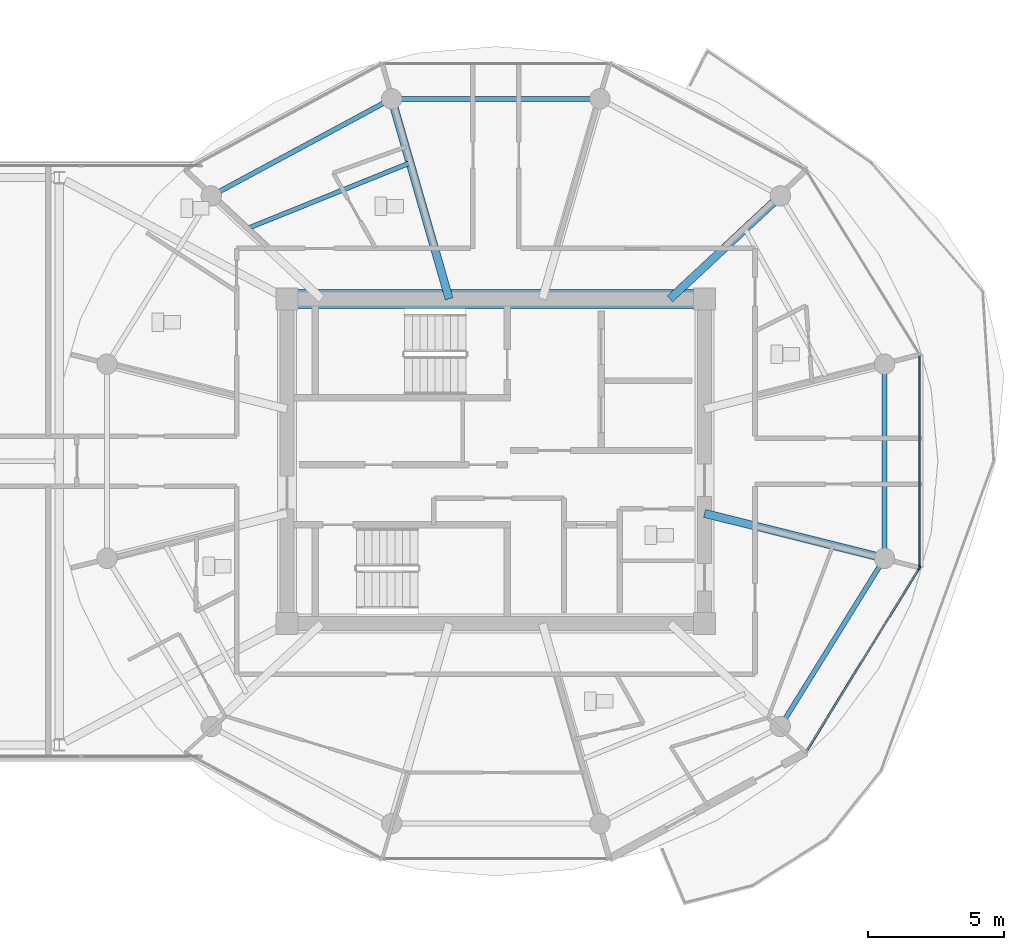
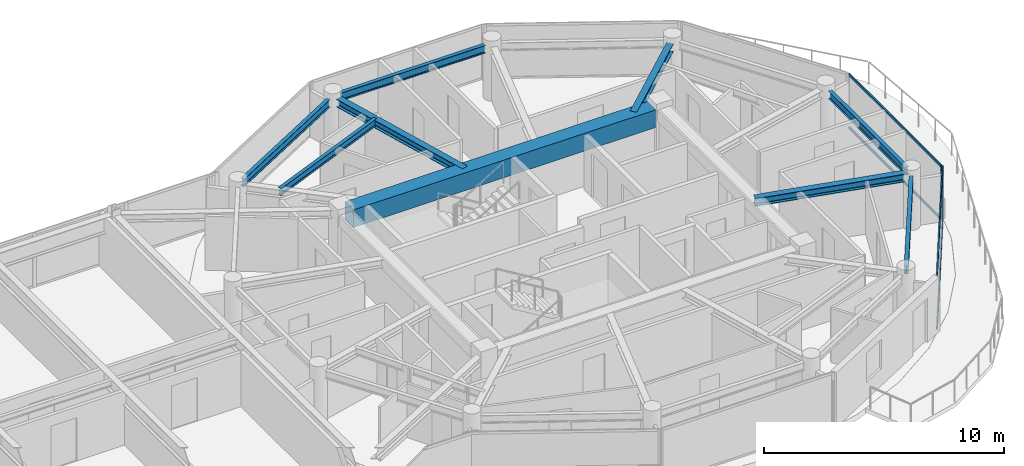
# One storey, part 10 of 26: 9 beams, 6 members, 2 elements without a shape of their own.
"""IFC4 building model written with IfcOpenShell, lengths in metres."""

from ifc_helpers import new_model, si_unit, direction, frame, origin, origin_2d, place, context, subcontext, project, spatial, rectangle, i_section, extrude, source, transform, mapped, material, layer, layer_set, material_profile, profile_set, type_object, type_shapes, element, aggregate, save


model = new_model("IFC4")

# Units and contexts
model_context = context("Model", 3, precision=1e-05, world=origin(), true_north=direction((0.0, 1.0)))
body_context = subcontext(model_context, "Body", "Model", "MODEL_VIEW")
ifc_project = project(units=[si_unit("LENGTHUNIT", "METRE"), si_unit("AREAUNIT", "SQUARE_METRE"), si_unit("VOLUMEUNIT", "CUBIC_METRE"), si_unit("PLANEANGLEUNIT", "RADIAN"), si_unit("MASSUNIT", "GRAM", prefix="KILO")], contexts=[model_context])

# Site, building, storey
site_placement = place(None, origin())
site = spatial("IfcSite", under=ifc_project, at=site_placement, CompositionType="ELEMENT")
building_placement = place(site_placement, origin())
building = spatial("IfcBuilding", under=site, at=building_placement, Name="Norrkilde Senior Care Towers", CompositionType="ELEMENT")
storey_placement = place(building_placement, frame((0.0, 0.0, 210.85009765625)))
storey = spatial("IfcBuildingStorey", under=building, at=storey_placement, Name="L65", CompositionType="ELEMENT", Elevation=210.85009765625)

# Beams
ifc_material_1 = material(Name="Concrete C60/75", Category="concrete")
ifc_material_profile_1 = material_profile(ifc_material_1, rectangle(XDim=0.699951171875, YDim=0.89990234375, at=origin_2d()), Name="RC BM 700x900")
ifc_profile_set_1 = profile_set([ifc_material_profile_1], Name="Concrete C60/75")
beam_type_1 = type_object("IfcBeamType", Name="Core Coupling Girder 700x900", PredefinedType="USERDEFINED", material=ifc_profile_set_1)
shared_shape_1 = source(origin(), body_context, "Body", "SweptSolid", [
    extrude(rectangle(XDim=0.699951171875, YDim=0.89990234375, at=origin_2d()), origin(), (0.0, 0.0, 1.0), 14.5400390625),
])
type_shapes(beam_type_1, [shared_shape_1])
beam_1_placement = place(storey_placement, frame((20.72998046875, 5.949951171875, 2.309814453125), z_axis=(1.0, 0.0, 0.0), x_axis=(0.0, 1.0, 0.0)))
element("IfcBeam", 1, at=beam_1_placement, inside=storey, type_object=beam_type_1, Name="L65 Core E N Coupling Girder", ObjectType="GIRDER", PredefinedType="USERDEFINED", context=body_context, shape_type="MappedRepresentation", body=[
    mapped(shared_shape_1, transform((0.0, 0.0, 0.0), x_axis=(1.0, 0.0, 0.0), y_axis=(0.0, 1.0, 0.0), z_axis=(0.0, 0.0, 1.0), scale=1.0)),
])
ifc_material_2 = material(Name="Steel S355", Category="steel")
ifc_material_profile_2 = material_profile(ifc_material_2, i_section(OverallWidth=0.179931640625, OverallDepth=0.39990234375, WebThickness=0.008544921875, FlangeThickness=0.013427734375, FilletRadius=0.02099609375, at=origin_2d()), Name="IPE 400")
ifc_profile_set_2 = profile_set([ifc_material_profile_2], Name="Steel S355")
beam_type_2 = type_object("IfcBeamType", Name="Perimeter Ring Spandrel Z4 IPE400", PredefinedType="SPANDREL", material=ifc_profile_set_2)
shared_shape_2 = source(origin(), body_context, "Body", "SweptSolid", [
    extrude(i_section(OverallWidth=0.179931640625, OverallDepth=0.39990234375, WebThickness=0.008544921875, FlangeThickness=0.013427734375, FilletRadius=0.02099609375, at=origin_2d()), origin(), (0.0, 0.0, 1.0), 6.58056640625),
])
beam_2_placement = place(storey_placement, frame((38.606201171875, -9.43798828125, 2.559814453125), z_axis=(0.526529583789, 0.850156807533, 0.0), x_axis=(-0.850156807533, 0.526529583789, 0.0)))
element("IfcBeam", 2, at=beam_2_placement, inside=storey, type_object=beam_type_2, Name="L65 Drum E Perimeter Spandrel 11", PredefinedType="SPANDREL", context=body_context, shape_type="MappedRepresentation", body=[
    mapped(shared_shape_2, transform((0.0, 0.0, 0.0), x_axis=(1.0, 0.0, 0.0), y_axis=(0.0, 1.0, 0.0), z_axis=(0.0, 0.0, 1.0), scale=1.0)),
])
ifc_material_profile_3 = material_profile(ifc_material_2, i_section(OverallWidth=0.300048828125, OverallDepth=0.39990234375, WebThickness=0.013427734375, FlangeThickness=0.02392578125, FilletRadius=0.027099609375, at=origin_2d()), Name="HEB 400")
ifc_profile_set_3 = profile_set([ifc_material_profile_3], Name="Steel S355")
beam_type_3 = type_object("IfcBeamType", Name="Radial Floor Beam Z4 HEB400", PredefinedType="BEAM", material=ifc_profile_set_3)
shared_shape_3 = source(origin(), body_context, "Body", "SweptSolid", [
    extrude(i_section(OverallWidth=0.300048828125, OverallDepth=0.39990234375, WebThickness=0.013427734375, FlangeThickness=0.02392578125, FilletRadius=0.027099609375, at=origin_2d()), origin(), (0.0, 0.0, 1.0), 6.465087890625),
])
beam_3_placement = place(storey_placement, frame((35.64990234375, -1.910888671875, 2.559814453125), z_axis=(0.970195788563, -0.242322371758, 0.0), x_axis=(0.242322371758, 0.970195788563, 0.0)))
element("IfcBeam", 3, at=beam_3_placement, inside=storey, type_object=beam_type_3, Name="L65 Drum E Radial Floor Beam 12", PredefinedType="BEAM", context=body_context, shape_type="MappedRepresentation", body=[
    mapped(shared_shape_3, transform((0.0, 0.0, 0.0), x_axis=(1.0, 0.0, 0.0), y_axis=(0.0, 1.0, 0.0), z_axis=(0.0, 0.0, 1.0), scale=1.0)),
])
shared_shape_4 = source(origin(), body_context, "Body", "SweptSolid", [
    extrude(i_section(OverallWidth=0.179931640625, OverallDepth=0.39990234375, WebThickness=0.008544921875, FlangeThickness=0.013427734375, FilletRadius=0.02099609375, at=origin_2d()), origin(), (0.0, 0.0, 1.0), 6.839111328125),
])
beam_4_placement = place(storey_placement, frame((23.887451171875, 13.122802734375, 2.559814453125), z_axis=(-0.880563930732, -0.473927382511, 0.0), x_axis=(0.473927382511, -0.880563930732, 0.0)))
element("IfcBeam", 4, at=beam_4_placement, inside=storey, type_object=beam_type_2, Name="L65 Drum E Perimeter Spandrel 04", PredefinedType="SPANDREL", context=body_context, shape_type="MappedRepresentation", body=[
    mapped(shared_shape_4, transform((0.0, 0.0, 0.0), x_axis=(1.0, 0.0, 0.0), y_axis=(0.0, 1.0, 0.0), z_axis=(0.0, 0.0, 1.0), scale=1.0)),
])
shared_shape_5 = source(origin(), body_context, "Body", "SweptSolid", [
    extrude(i_section(OverallWidth=0.300048828125, OverallDepth=0.39990234375, WebThickness=0.013427734375, FlangeThickness=0.02392578125, FilletRadius=0.027099609375, at=origin_2d()), origin(), (0.0, 0.0, 1.0), 5.197998046875),
])
beam_5_placement = place(storey_placement, frame((34.3828125, 5.949951171875, 2.559814453125), z_axis=(0.731448749334, 0.681896419625, 0.0), x_axis=(-0.681896419625, 0.731448749334, 0.0)))
element("IfcBeam", 5, at=beam_5_placement, inside=storey, type_object=beam_type_3, Name="L65 Drum E Radial Floor Beam 02", PredefinedType="BEAM", context=body_context, shape_type="MappedRepresentation", body=[
    mapped(shared_shape_5, transform((0.0, 0.0, 0.0), x_axis=(1.0, 0.0, 0.0), y_axis=(0.0, 1.0, 0.0), z_axis=(0.0, 0.0, 1.0), scale=1.0)),
])
shared_shape_6 = source(origin(), body_context, "Body", "SweptSolid", [
    extrude(i_section(OverallWidth=0.179931640625, OverallDepth=0.39990234375, WebThickness=0.008544921875, FlangeThickness=0.013427734375, FilletRadius=0.02099609375, at=origin_2d()), origin(), (0.0, 0.0, 1.0), 6.96533203125),
])
beam_6_placement = place(storey_placement, frame((31.482666015625, 13.281494140625, 2.559814453125), z_axis=(-1.0, 0.0, 0.0), x_axis=(0.0, -1.0, 0.0)))
element("IfcBeam", 6, at=beam_6_placement, inside=storey, type_object=beam_type_2, Name="L65 Drum E Perimeter Spandrel 03", PredefinedType="SPANDREL", context=body_context, shape_type="MappedRepresentation", body=[
    mapped(shared_shape_6, transform((0.0, 0.0, 0.0), x_axis=(1.0, 0.0, 0.0), y_axis=(0.0, 1.0, 0.0), z_axis=(0.0, 0.0, 1.0), scale=1.0)),
])
shared_shape_7 = source(origin(), body_context, "Body", "SweptSolid", [
    extrude(i_section(OverallWidth=0.300048828125, OverallDepth=0.39990234375, WebThickness=0.013427734375, FlangeThickness=0.02392578125, FilletRadius=0.027099609375, at=origin_2d()), origin(), (0.0, 0.0, 1.0), 7.29345703125),
])
type_shapes(beam_type_3, [shared_shape_3, shared_shape_5, shared_shape_7])
beam_7_placement = place(storey_placement, frame((26.289794921875, 5.949951171875, 2.559814453125), z_axis=(-0.276263751906, 0.961081858836, 0.0), x_axis=(-0.961081858836, -0.276263751906, 0.0)))
element("IfcBeam", 7, at=beam_7_placement, inside=storey, type_object=beam_type_3, Name="L65 Drum E Radial Floor Beam 04", PredefinedType="BEAM", context=body_context, shape_type="MappedRepresentation", body=[
    mapped(shared_shape_7, transform((0.0, 0.0, 0.0), x_axis=(1.0, 0.0, 0.0), y_axis=(0.0, 1.0, 0.0), z_axis=(0.0, 0.0, 1.0), scale=1.0)),
])
shared_shape_8 = source(origin(), body_context, "Body", "SweptSolid", [
    extrude(i_section(OverallWidth=0.179931640625, OverallDepth=0.39990234375, WebThickness=0.008544921875, FlangeThickness=0.013427734375, FilletRadius=0.02099609375, at=origin_2d()), origin(), (0.0, 0.0, 1.0), 6.44775390625),
])
type_shapes(beam_type_2, [shared_shape_2, shared_shape_4, shared_shape_6, shared_shape_8])
beam_8_placement = place(storey_placement, frame((42.247314453125, -3.223876953125, 2.559814453125), z_axis=(0.0, 1.0, 0.0), x_axis=(-1.0, 0.0, 0.0)))
element("IfcBeam", 8, at=beam_8_placement, inside=storey, type_object=beam_type_2, Name="L65 Drum E Perimeter Spandrel 12", PredefinedType="SPANDREL", context=body_context, shape_type="MappedRepresentation", body=[
    mapped(shared_shape_8, transform((0.0, 0.0, 0.0), x_axis=(1.0, 0.0, 0.0), y_axis=(0.0, 1.0, 0.0), z_axis=(0.0, 0.0, 1.0), scale=1.0)),
])
ifc_material_profile_4 = material_profile(ifc_material_2, i_section(OverallWidth=0.169921875, OverallDepth=0.360107421875, WebThickness=0.008056640625, FlangeThickness=0.0126953125, FilletRadius=0.01806640625, at=origin_2d()), Name="IPE 360")
ifc_profile_set_4 = profile_set([ifc_material_profile_4], Name="Steel S355")
beam_type_4 = type_object("IfcBeamType", Name="Secondary Floor Joist IPE360", PredefinedType="JOIST", material=ifc_profile_set_4)
shared_shape_9 = source(origin(), body_context, "Body", "SweptSolid", [
    extrude(i_section(OverallWidth=0.169921875, OverallDepth=0.360107421875, WebThickness=0.008056640625, FlangeThickness=0.0126953125, FilletRadius=0.01806640625, at=origin_2d()), origin(), (0.0, 0.0, 1.0), 6.461669921875),
])
type_shapes(beam_type_4, [shared_shape_9])
beam_9_placement = place(storey_placement, frame((24.856689453125, 10.935302734375, 2.579833984375), z_axis=(-0.927225942298, -0.374502405772, 0.0), x_axis=(0.374502405772, -0.927225942298, 0.0)))
element("IfcBeam", 9, at=beam_9_placement, inside=storey, type_object=beam_type_4, Name="L65 Drum E Secondary Floor Joist 2", PredefinedType="JOIST", context=body_context, shape_type="MappedRepresentation", body=[
    mapped(shared_shape_9, transform((0.0, 0.0, 0.0), x_axis=(1.0, 0.0, 0.0), y_axis=(0.0, 1.0, 0.0), z_axis=(0.0, 0.0, 1.0), scale=1.0)),
])

# Curtain wall, members
ifc_material_3 = material(Name="Triple Low-E Insulated Glazing", Category="glass")
ifc_layer = layer(ifc_material_3, 0.18505859375)
ifc_layer_set = layer_set([ifc_layer], Name="Triple Low-E Insulated Glazing")
curtain_wall_type = type_object("IfcCurtainWallType", Name="CW6 Zone 4 Crown Pavilion Curtain Wall", PredefinedType="NOTDEFINED", material=ifc_layer_set)
curtain_wall_1_placement = place(storey_placement, origin())
curtain_wall_1 = element("IfcCurtainWall", 10, at=curtain_wall_1_placement, inside=storey, type_object=curtain_wall_type, Name="L65 Drum E Curtain Wall 10", PredefinedType="NOTDEFINED")
ifc_material_4 = material(Name="Anodised Aluminium", Category="aluminium")
ifc_material_profile_5 = material_profile(ifc_material_4, rectangle(XDim=0.06005859375, YDim=0.1201171875, at=origin_2d()), Name="ALU TRAN 60x120")
ifc_profile_set_5 = profile_set([ifc_material_profile_5], Name="Anodised Aluminium")
member_type_1 = type_object("IfcMemberType", Name="Curtain Wall Transom Typical 60x120", PredefinedType="USERDEFINED", material=ifc_profile_set_5)
shared_shape_10 = source(origin(), body_context, "Body", "SweptSolid", [
    extrude(rectangle(XDim=0.06005859375, YDim=0.1201171875, at=origin_2d()), origin(), (0.0, 0.0, 1.0), 7.808837890625),
])
member_1_placement = place(storey_placement, frame((43.498046875, -3.958251953125, 0.02978515625), z_axis=(-0.524250924101, -0.851563837055, 0.0), x_axis=(0.851563837055, -0.524250924101, 0.0)))
member_1 = element("IfcMember", 11, at=member_1_placement, type_object=member_type_1, Name="CW-6 transom 1.1", ObjectType="TRANSOM", PredefinedType="USERDEFINED", context=body_context, shape_type="MappedRepresentation", body=[
    mapped(shared_shape_10, transform((0.0, 0.0, 0.0), x_axis=(1.0, 0.0, 0.0), y_axis=(0.0, 1.0, 0.0), z_axis=(0.0, 0.0, 1.0), scale=1.0)),
])
member_2_placement = place(storey_placement, frame((43.498046875, -3.958251953125, 2.72998046875), z_axis=(-0.524250924101, -0.851563837055, 0.0), x_axis=(0.851563837055, -0.524250924101, 0.0)))
member_2 = element("IfcMember", 12, at=member_2_placement, type_object=member_type_1, Name="CW-6 transom 1.2", ObjectType="TRANSOM", PredefinedType="USERDEFINED", context=body_context, shape_type="MappedRepresentation", body=[
    mapped(shared_shape_10, transform((0.0, 0.0, 0.0), x_axis=(1.0, 0.0, 0.0), y_axis=(0.0, 1.0, 0.0), z_axis=(0.0, 0.0, 1.0), scale=1.0)),
])

curtain_wall_2_placement = place(storey_placement, origin())
curtain_wall_2 = element("IfcCurtainWall", 13, at=curtain_wall_2_placement, inside=storey, type_object=curtain_wall_type, Name="L65 Drum E Curtain Wall 11", PredefinedType="NOTDEFINED")
shared_shape_11 = source(origin(), body_context, "Body", "SweptSolid", [
    extrude(rectangle(XDim=0.06005859375, YDim=0.1201171875, at=origin_2d()), origin(), (0.0, 0.0, 1.0), 7.67578125),
])
type_shapes(member_type_1, [shared_shape_10, shared_shape_11])
member_3_placement = place(storey_placement, frame((43.531982421875, 3.837890625, 0.02978515625), z_axis=(0.0, -1.0, 0.0), x_axis=(1.0, 0.0, 0.0)))
member_3 = element("IfcMember", 14, at=member_3_placement, type_object=member_type_1, Name="CW-6 transom 1.1", ObjectType="TRANSOM", PredefinedType="USERDEFINED", context=body_context, shape_type="MappedRepresentation", body=[
    mapped(shared_shape_11, transform((0.0, 0.0, 0.0), x_axis=(1.0, 0.0, 0.0), y_axis=(0.0, 1.0, 0.0), z_axis=(0.0, 0.0, 1.0), scale=1.0)),
])
member_4_placement = place(storey_placement, frame((43.531982421875, 3.837890625, 2.72998046875), z_axis=(0.0, -1.0, 0.0), x_axis=(1.0, 0.0, 0.0)))
member_4 = element("IfcMember", 15, at=member_4_placement, type_object=member_type_1, Name="CW-6 transom 1.2", ObjectType="TRANSOM", PredefinedType="USERDEFINED", context=body_context, shape_type="MappedRepresentation", body=[
    mapped(shared_shape_11, transform((0.0, 0.0, 0.0), x_axis=(1.0, 0.0, 0.0), y_axis=(0.0, 1.0, 0.0), z_axis=(0.0, 0.0, 1.0), scale=1.0)),
])

# Member
ifc_material_profile_6 = material_profile(ifc_material_4, rectangle(XDim=0.06494140625, YDim=0.14990234375, at=origin_2d()), Name="ALU MULL 65x150")
ifc_profile_set_6 = profile_set([ifc_material_profile_6], Name="Anodised Aluminium")
member_type_2 = type_object("IfcMemberType", Name="Curtain Wall Mullion Z3-Z4 65x150", PredefinedType="MULLION", material=ifc_profile_set_6)
shared_shape_12 = source(origin(), body_context, "Body", "SweptSolid", [
    extrude(rectangle(XDim=0.06494140625, YDim=0.14990234375, at=origin_2d()), origin(), (0.0, 0.0, 1.0), 2.760009765625),
])
type_shapes(member_type_2, [shared_shape_12])
member_5_placement = place(storey_placement, frame((43.51513671875, -3.9306640625, 0.0), z_axis=(0.0, 0.0, 1.0), x_axis=(0.851562727283, -0.524252726748, 0.0)))
member_5 = element("IfcMember", 16, at=member_5_placement, type_object=member_type_2, Name="CW-6 mullion 1", PredefinedType="MULLION", context=body_context, shape_type="MappedRepresentation", body=[
    mapped(shared_shape_12, transform((0.0, 0.0, 0.0), x_axis=(1.0, 0.0, 0.0), y_axis=(0.0, 1.0, 0.0), z_axis=(0.0, 0.0, 1.0), scale=1.0)),
])

aggregate(curtain_wall_1, [member_5, member_1, member_2])

member_6_placement = place(storey_placement, frame((43.531982421875, -3.87060546875, 0.0), z_axis=(0.0, 0.0, 1.0), x_axis=(1.0, 0.0, 0.0)))
member_6 = element("IfcMember", 17, at=member_6_placement, type_object=member_type_2, Name="CW-6 mullion 2", PredefinedType="MULLION", context=body_context, shape_type="MappedRepresentation", body=[
    mapped(shared_shape_12, transform((0.0, 0.0, 0.0), x_axis=(1.0, 0.0, 0.0), y_axis=(0.0, 1.0, 0.0), z_axis=(0.0, 0.0, 1.0), scale=1.0)),
])

aggregate(curtain_wall_2, [member_6, member_3, member_4])

save(model, "model.ifc")
